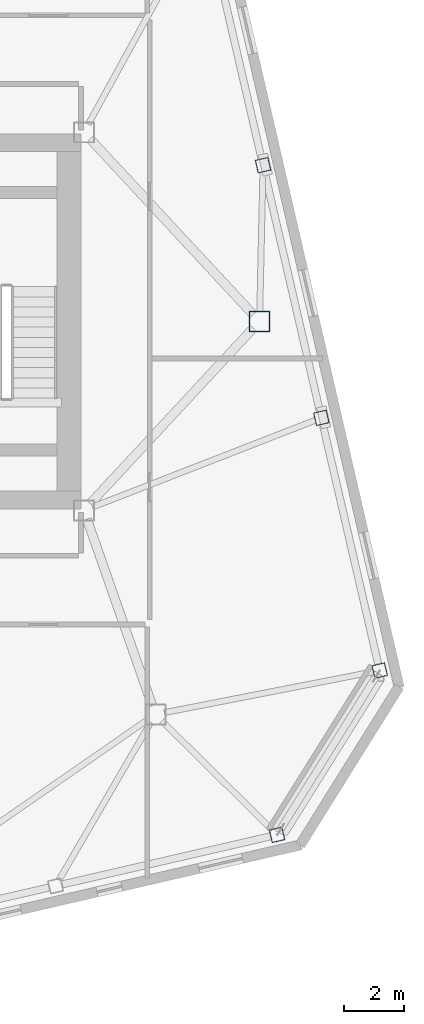
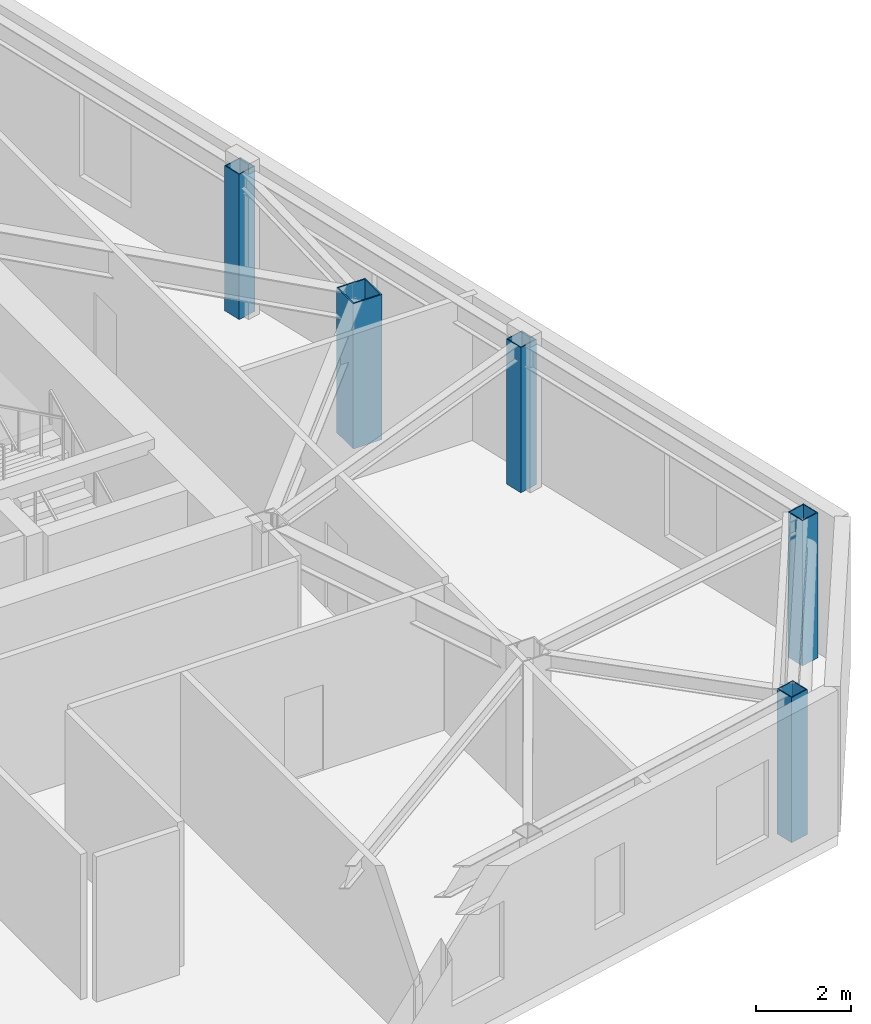
# One storey, part 3 of 23: 5 columns.
"""IFC4 building model written with IfcOpenShell, lengths in metres."""

from ifc_helpers import new_model, si_unit, direction, frame, origin, origin_2d, place, context, subcontext, project, spatial, hollow_rectangle, extrude, material, material_profile, profile_set, type_object, element, save


model = new_model("IFC4")

# Units and contexts
model_context = context("Model", 3, precision=1e-05, world=origin(), true_north=direction((0.0, 1.0)))
body_context = subcontext(model_context, "Body", "Model", "MODEL_VIEW")
ifc_project = project(units=[si_unit("LENGTHUNIT", "METRE"), si_unit("AREAUNIT", "SQUARE_METRE"), si_unit("VOLUMEUNIT", "CUBIC_METRE"), si_unit("PLANEANGLEUNIT", "RADIAN"), si_unit("MASSUNIT", "GRAM", prefix="KILO")], contexts=[model_context])

# Site, building, storey
site_placement = place(None, origin())
site = spatial("IfcSite", under=ifc_project, at=site_placement, CompositionType="ELEMENT")
building_placement = place(site_placement, origin())
building = spatial("IfcBuilding", under=site, at=building_placement, Name="Tavrogorsk Clinical Tower", CompositionType="ELEMENT")
storey_placement = place(building_placement, frame((0.0, 0.0, 293.0)))
storey = spatial("IfcBuildingStorey", under=building, at=storey_placement, Name="L68", CompositionType="ELEMENT", Elevation=293.0)

# Columns
ifc_material_1 = material(Name="Structural steel S440", Category="steel")
ifc_material_profile_1 = material_profile(ifc_material_1, hollow_rectangle(XDim=0.699951171875, YDim=0.699951171875, WallThickness=0.031982421875, at=origin_2d()), Name="BOX-700x700x32")
ifc_profile_set_1 = profile_set([ifc_material_profile_1], Name="Structural steel S440")
column_type_1 = type_object("IfcColumnType", Name="MegaCol_BOX700", PredefinedType="COLUMN", material=ifc_profile_set_1)
column_placement = place(storey_placement, frame((28.0, 0.0, 0.0), z_axis=(0.0, 0.0, 1.0), x_axis=(1.0, 0.0, 0.0)))
element("IfcColumn", 1, at=column_placement, inside=storey, type_object=column_type_1, Name="L68 Spine Pilotis Column MC-P6", PredefinedType="COLUMN", context=body_context, shape_type="SweptSolid", body=[
    extrude(hollow_rectangle(XDim=0.699951171875, YDim=0.699951171875, WallThickness=0.031982421875, at=origin_2d()), origin(), (0.0, 0.0, 1.0), 3.739990234375),
])
ifc_material_2 = material(Name="Structural steel S440", Category="steel")
ifc_material_profile_2 = material_profile(ifc_material_2, hollow_rectangle(XDim=0.449951171875, YDim=0.449951171875, WallThickness=0.02197265625, at=origin_2d()), Name="BOX-450x450x22")
ifc_profile_set_2 = profile_set([ifc_material_profile_2], Name="Structural steel S440")
column_type_2 = type_object("IfcColumnType", Name="PerimCol_B5_BOX450", PredefinedType="COLUMN", material=ifc_profile_set_2)
for number, where, z_axis, x_axis, name in (
    (2, (28.588623046875, -17.244873046875, 0.0), (0.0, 0.0, 1.0), (0.974370064785, 0.224951054344, 0.0), "L68 Perimeter Column S8"),
    (3, (32.035888671875, -11.72802734375, 0.0), (0.0, 0.0, 1.0), (0.974370064785, 0.224951054344, 0.0), "L68 Perimeter Column E1"),
    (4, (30.07666015625, -3.2412109375, 0.0), (0.0, 0.0, 1.0), (0.974370064785, 0.224951054344, 0.0), "L68 Perimeter Column E2"),
    (5, (28.1171875, 5.24560546875, 0.0), (0.0, 0.0, 1.0), (0.974370064785, 0.224951054344, 0.0), "L68 Perimeter Column E3"),
):
    element("IfcColumn", number, at=place(storey_placement, frame(where, z_axis=z_axis, x_axis=x_axis)), inside=storey, type_object=column_type_2, Name=name, PredefinedType="COLUMN", context=body_context, shape_type="SweptSolid", body=[
        extrude(hollow_rectangle(XDim=0.449951171875, YDim=0.449951171875, WallThickness=0.02197265625, at=origin_2d()), origin(), (0.0, 0.0, 1.0), 3.739990234375),
    ])

save(model, "model.ifc")
